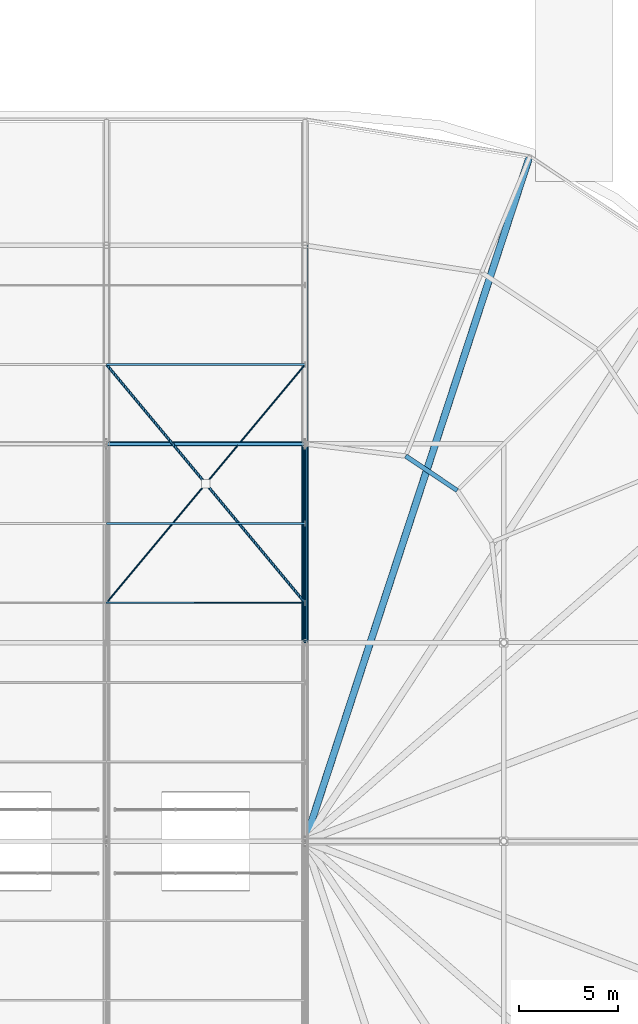
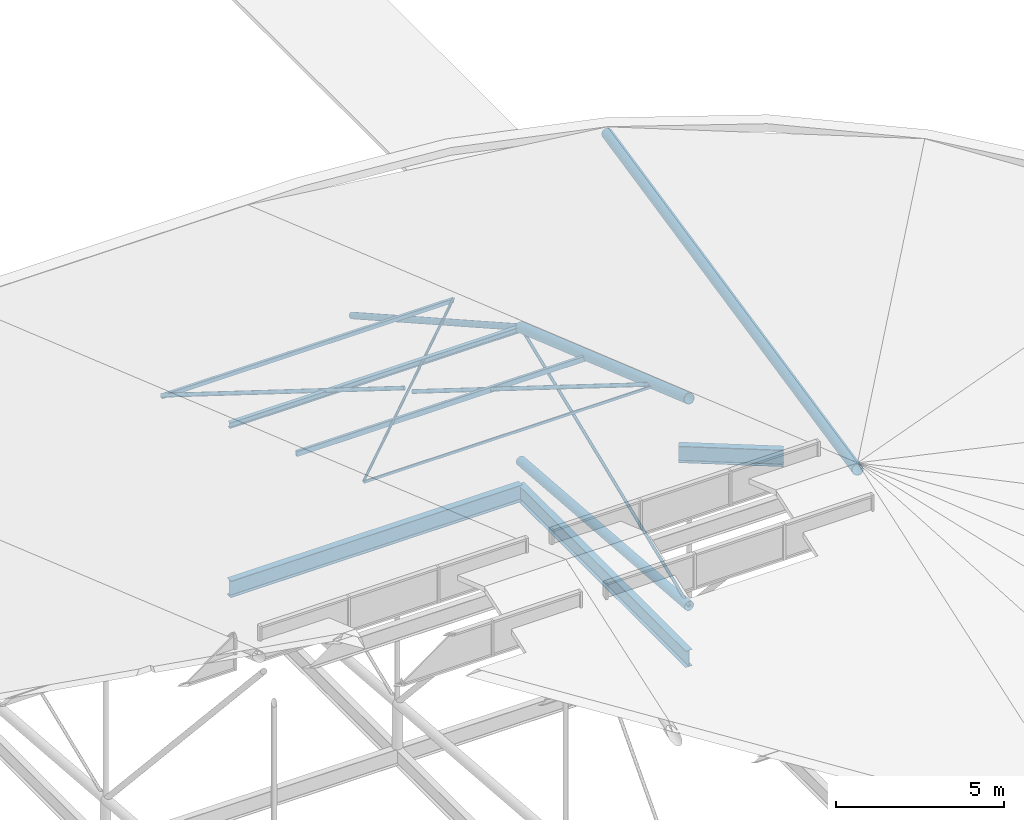
# One storey, part 71 of 93: 12 members, 3 beams.
"""IFC4 building model written with IfcOpenShell, lengths in metres."""

from ifc_helpers import new_model, si_unit, derived_unit, direction, frame, origin, origin_2d_with_axis, place, context, subcontext, project, spatial, hollow_rectangle, hollow_circle, i_section, extrude, material, material_profile, profile_set, type_object, element, save


model = new_model("IFC4")

# Units and contexts
model_context = context("Model", 3, precision=1e-05, world=origin(), true_north=direction((0.0, 1.0)))
body_context = subcontext(model_context, "Body", "Model", "MODEL_VIEW")
ifc_project = project(units=[si_unit("LENGTHUNIT", "METRE"), si_unit("AREAUNIT", "SQUARE_METRE"), si_unit("VOLUMEUNIT", "CUBIC_METRE"), si_unit("PLANEANGLEUNIT", "RADIAN"), si_unit("MASSUNIT", "GRAM", prefix="KILO"), derived_unit("THERMALTRANSMITTANCEUNIT", [(si_unit("POWERUNIT", "WATT"), 1), (si_unit("LENGTHUNIT", "METRE"), -2), (si_unit("THERMODYNAMICTEMPERATUREUNIT", "KELVIN"), -1)])], contexts=[model_context])

# Site, building, storey
site_placement = place(None, origin())
site = spatial("IfcSite", under=ifc_project, at=site_placement, CompositionType="ELEMENT")
building_placement = place(site_placement, origin())
building = spatial("IfcBuilding", under=site, at=building_placement, Name="Cinnabar Yard Market Hall", CompositionType="ELEMENT")
storey_placement = place(building_placement, frame((0.0, 0.0, 23.800048828125)))
storey = spatial("IfcBuildingStorey", under=building, at=storey_placement, Name="ROOF", CompositionType="ELEMENT", Elevation=23.800048828125)

# Beams
ifc_material_1 = material(Name="Steel Grade 300 (300 MPa)", Category="steel")
ifc_material_profile_1 = material_profile(ifc_material_1, i_section(OverallWidth=0.22802734375, OverallDepth=0.60205078125, WebThickness=0.010498046875, FlangeThickness=0.014892578125, FilletRadius=0.013916015625, at=origin_2d_with_axis()), Name="610UB101")
ifc_profile_set_1 = profile_set([ifc_material_profile_1], Name="Steel Grade 300 (300 MPa)")
beam_type = type_object("IfcBeamType", Name="BM-B02", PredefinedType="BEAM", material=ifc_profile_set_1)
for number, where, z_axis, x_axis, name in (
    (1, (136.0, 64.0, -9.700927734375), (1.0, 0.0, 0.0), (0.0, 1.0, 0.0), "Hall Longitudinal Tie Girder 00410"),
    (2, (146.0, 54.0, -9.700927734375), (0.0, 1.0, 0.0), (-1.0, 0.0, 0.0), "Hall Transverse Tie Girder 00443"),
):
    element("IfcBeam", number, at=place(storey_placement, frame(where, z_axis=z_axis, x_axis=x_axis)), inside=storey, type_object=beam_type, Name=name, PredefinedType="BEAM", context=body_context, shape_type="SweptSolid", body=[
        extrude(i_section(OverallWidth=0.22802734375, OverallDepth=0.60205078125, WebThickness=0.010498046875, FlangeThickness=0.014892578125, FilletRadius=0.013916015625, at=origin_2d_with_axis()), origin(), (0.0, 0.0, 1.0), 10.0),
    ])
beam_placement = place(storey_placement, frame((153.656982421875, 61.656982421875, -9.700927734375), z_axis=(-0.831484320434, 0.555548220115, 0.0), x_axis=(-0.555548220115, -0.831484320434, 0.0)))
element("IfcBeam", 3, at=beam_placement, inside=storey, type_object=beam_type, Name="Inner Corner Ring NE 00490", PredefinedType="BEAM", context=body_context, shape_type="SweptSolid", body=[
    extrude(i_section(OverallWidth=0.22802734375, OverallDepth=0.60205078125, WebThickness=0.010498046875, FlangeThickness=0.014892578125, FilletRadius=0.013916015625, at=origin_2d_with_axis()), origin(), (0.0, 0.0, 1.0), 3.12158203125),
])

# Members
ifc_material_2 = material(Name="Cold-formed steel C350L0", Category="steel")
ifc_material_profile_2 = material_profile(ifc_material_2, hollow_circle(Radius=0.161865234375, WallThickness=0.009521484375, at=origin_2d_with_axis()), Name="323.9x9.5CHS")
ifc_profile_set_2 = profile_set([ifc_material_profile_2], Name="Cold-formed steel C350L0")
member_type_1 = type_object("IfcMemberType", Name="MB-BC01", PredefinedType="CHORD", material=ifc_profile_set_2)
member_1_placement = place(storey_placement, frame((146.0, 54.0, -7.800048828125), z_axis=(0.0, 0.99681489162, -0.07975005859), x_axis=(-1.0, 0.0, 0.0)))
element("IfcMember", 4, at=member_1_placement, inside=storey, type_object=member_type_1, Name="Hall Truss 146 Bottom Chord 5", PredefinedType="CHORD", context=body_context, shape_type="SweptSolid", body=[
    extrude(hollow_circle(Radius=0.161865234375, WallThickness=0.009521484375, at=origin_2d_with_axis()), origin(), (0.0, 0.0, 1.0), 10.031982421875),
])
ifc_material_profile_3 = material_profile(ifc_material_2, hollow_circle(Radius=0.109619140625, WallThickness=0.00830078125, at=origin_2d_with_axis()), Name="219.1x8.2CHS")
ifc_profile_set_3 = profile_set([ifc_material_profile_3], Name="Cold-formed steel C350L0")
member_type_2 = type_object("IfcMemberType", Name="MB-DG01", PredefinedType="BRACE", material=ifc_profile_set_3)
member_2_placement = place(storey_placement, frame((146.0, 64.0, -3.76123046875), z_axis=(0.0, 0.871057093215, -0.491181779345), x_axis=(-1.0, 0.0, 0.0)))
element("IfcMember", 5, at=member_2_placement, inside=storey, type_object=member_type_2, Name="Hall Truss 146 Diagonal 6", PredefinedType="BRACE", context=body_context, shape_type="SweptSolid", body=[
    extrude(hollow_circle(Radius=0.109619140625, WallThickness=0.00830078125, at=origin_2d_with_axis()), origin(), (0.0, 0.0, 1.0), 11.480224609375),
])
ifc_material_profile_4 = material_profile(ifc_material_2, hollow_circle(Radius=0.05078125, WallThickness=0.0048828125, at=origin_2d_with_axis()), Name="101.6x5.0CHS")
ifc_profile_set_4 = profile_set([ifc_material_profile_4], Name="Cold-formed steel C350L0")
member_type_3 = type_object("IfcMemberType", Name="MB-DG05", PredefinedType="BRACE", material=ifc_profile_set_4)
member_3_placement = place(storey_placement, frame((146.0, 54.0, -7.800048828125), z_axis=(0.0, 0.927230348791, 0.374491495607), x_axis=(-1.0, 0.0, 0.0)))
element("IfcMember", 6, at=member_3_placement, inside=storey, type_object=member_type_3, Name="Hall Truss 146 Diagonal 5", PredefinedType="BRACE", context=body_context, shape_type="SweptSolid", body=[
    extrude(hollow_circle(Radius=0.05078125, WallThickness=0.0048828125, at=origin_2d_with_axis()), origin(), (0.0, 0.0, 1.0), 10.784912109375),
])
ifc_material_profile_5 = material_profile(ifc_material_2, hollow_rectangle(XDim=0.10009765625, YDim=0.199951171875, WallThickness=0.006103515625, InnerFilletRadius=0.006103515625, OuterFilletRadius=0.011962890625, at=origin_2d_with_axis()), Name="200x100x6.0RHS")
ifc_profile_set_5 = profile_set([ifc_material_profile_5], Name="Cold-formed steel C350L0")
member_type_4 = type_object("IfcMemberType", Name="MB-PU01", PredefinedType="PURLIN", material=ifc_profile_set_5)
member_4_placement = place(storey_placement, frame((136.0, 60.0, -2.4091796875), z_axis=(1.0, 0.0, 0.0), x_axis=(0.0, 1.0, 0.0)))
element("IfcMember", 7, at=member_4_placement, inside=storey, type_object=member_type_4, Name="Hall Roof Purlin Y60 X136", PredefinedType="PURLIN", context=body_context, shape_type="SweptSolid", body=[
    extrude(hollow_rectangle(XDim=0.10009765625, YDim=0.199951171875, WallThickness=0.006103515625, InnerFilletRadius=0.006103515625, OuterFilletRadius=0.011962890625, at=origin_2d_with_axis()), origin(), (0.0, 0.0, 1.0), 10.0),
])
ifc_material_profile_6 = material_profile(ifc_material_1, i_section(OverallWidth=0.134033203125, OverallDepth=0.20703125, WebThickness=0.00634765625, FlangeThickness=0.009521484375, FilletRadius=0.0087890625, at=origin_2d_with_axis()), Name="200UB29.8")
ifc_profile_set_6 = profile_set([ifc_material_profile_6], Name="Steel Grade 300 (300 MPa)")
member_type_5 = type_object("IfcMemberType", Name="MB-PU02", PredefinedType="PURLIN", material=ifc_profile_set_6)
member_5_placement = place(storey_placement, frame((136.0, 64.0, -3.80126953125), z_axis=(1.0, 0.0, 0.0), x_axis=(0.0, 1.0, 0.0)))
element("IfcMember", 8, at=member_5_placement, inside=storey, type_object=member_type_5, Name="Hall Roof Purlin Y64 X136", PredefinedType="PURLIN", context=body_context, shape_type="SweptSolid", body=[
    extrude(i_section(OverallWidth=0.134033203125, OverallDepth=0.20703125, WebThickness=0.00634765625, FlangeThickness=0.009521484375, FilletRadius=0.0087890625, at=origin_2d_with_axis()), origin(), (0.0, 0.0, 1.0), 10.0),
])
ifc_material_profile_7 = material_profile(ifc_material_2, hollow_rectangle(XDim=0.10009765625, YDim=0.14990234375, WallThickness=0.0048828125, InnerFilletRadius=0.0048828125, OuterFilletRadius=0.010009765625, at=origin_2d_with_axis()), Name="150x100x5.0RHS")
ifc_profile_set_7 = profile_set([ifc_material_profile_7], Name="Cold-formed steel C350L0")
member_type_6 = type_object("IfcMemberType", Name="MB-PU03", PredefinedType="PURLIN", material=ifc_profile_set_7)
member_6_placement = place(storey_placement, frame((136.0, 68.0, -5.193603515625), z_axis=(1.0, 0.0, 0.0), x_axis=(0.0, 1.0, 0.0)))
element("IfcMember", 9, at=member_6_placement, inside=storey, type_object=member_type_6, Name="Hall Roof Purlin Y68 X136", PredefinedType="PURLIN", context=body_context, shape_type="SweptSolid", body=[
    extrude(hollow_rectangle(XDim=0.10009765625, YDim=0.14990234375, WallThickness=0.0048828125, InnerFilletRadius=0.0048828125, OuterFilletRadius=0.010009765625, at=origin_2d_with_axis()), origin(), (0.0, 0.0, 1.0), 10.0),
])
ifc_material_profile_8 = material_profile(ifc_material_2, hollow_rectangle(XDim=0.050048828125, YDim=0.10009765625, WallThickness=0.00390625, InnerFilletRadius=0.00390625, OuterFilletRadius=0.008056640625, at=origin_2d_with_axis()), Name="100x50x4.0RHS")
ifc_profile_set_8 = profile_set([ifc_material_profile_8], Name="Cold-formed steel C350L0")
member_type_7 = type_object("IfcMemberType", Name="MB-PU10", PredefinedType="PURLIN", material=ifc_profile_set_8)
member_7_placement = place(storey_placement, frame((136.0, 56.0, -1.016845703125), z_axis=(1.0, 0.0, 0.0), x_axis=(0.0, 1.0, 0.0)))
element("IfcMember", 10, at=member_7_placement, inside=storey, type_object=member_type_7, Name="Hall Roof Purlin Y56 X136", PredefinedType="PURLIN", context=body_context, shape_type="SweptSolid", body=[
    extrude(hollow_rectangle(XDim=0.050048828125, YDim=0.10009765625, WallThickness=0.00390625, InnerFilletRadius=0.00390625, OuterFilletRadius=0.008056640625, at=origin_2d_with_axis()), origin(), (0.0, 0.0, 1.0), 10.0),
])
ifc_material_profile_9 = material_profile(ifc_material_2, hollow_circle(Radius=0.06982421875, WallThickness=0.0048828125, at=origin_2d_with_axis()), Name="139.7x5.0CHS")
ifc_profile_set_9 = profile_set([ifc_material_profile_9], Name="Cold-formed steel C350L0")
member_type_8 = type_object("IfcMemberType", Name="MB-RB01", PredefinedType="BRACE", material=ifc_profile_set_9)
for number, where, z_axis, x_axis, name in (
    (11, (146.0, 56.0, -0.976806640625), (-0.617072875014, 0.740505822572, -0.26621831954), (-0.768229091176, -0.640175025654, 0.0), "Roof Plan Split X-Brace 136-56B1"),
    (12, (140.919921875, 62.095947265625, -3.03125), (-0.617077905073, 0.740511858792, -0.26618986844), (-0.768229091176, -0.640175025654, 0.0), "Roof Plan Split X-Brace 136-56B2"),
):
    element("IfcMember", number, at=place(storey_placement, frame(where, z_axis=z_axis, x_axis=x_axis)), inside=storey, type_object=member_type_8, Name=name, PredefinedType="BRACE", context=body_context, shape_type="SweptSolid", body=[
        extrude(hollow_circle(Radius=0.06982421875, WallThickness=0.0048828125, at=origin_2d_with_axis()), origin(), (0.0, 0.0, 1.0), 7.972900390625),
    ])
ifc_material_profile_10 = material_profile(ifc_material_2, hollow_circle(Radius=0.04443359375, WallThickness=0.005615234375, at=origin_2d_with_axis()), Name="88.9x5.5CHS")
ifc_profile_set_10 = profile_set([ifc_material_profile_10], Name="Cold-formed steel C350L0")
member_type_9 = type_object("IfcMemberType", Name="MB-RB02", PredefinedType="BRACE", material=ifc_profile_set_10)
member_8_placement = place(storey_placement, frame((136.0, 56.0, -0.976806640625), z_axis=(0.618457094351, 0.742148513222, -0.258314550053), x_axis=(-0.768221279597, 0.640184399664, 0.0)))
element("IfcMember", 13, at=member_8_placement, inside=storey, type_object=member_type_9, Name="Roof Plan Continuous X-Brace 136-56A", PredefinedType="BRACE", context=body_context, shape_type="SweptSolid", body=[
    extrude(hollow_circle(Radius=0.04443359375, WallThickness=0.005615234375, at=origin_2d_with_axis()), origin(), (0.0, 0.0, 1.0), 16.169189453125),
])
ifc_material_profile_11 = material_profile(ifc_material_2, hollow_circle(Radius=0.177734375, WallThickness=0.0126953125, at=origin_2d_with_axis()), Name="355.6x12.7CHS")
ifc_profile_set_11 = profile_set([ifc_material_profile_11], Name="Cold-formed steel C350L0")
member_type_10 = type_object("IfcMemberType", Name="MB-TC01", PredefinedType="CHORD", material=ifc_profile_set_11)
member_9_placement = place(storey_placement, frame((146.0, 54.0, -0.28076171875), z_axis=(0.0, 0.944432077625, -0.328706633267), x_axis=(-1.0, 0.0, 0.0)))
element("IfcMember", 14, at=member_9_placement, inside=storey, type_object=member_type_10, Name="Hall Truss 146 Top Chord 5", PredefinedType="CHORD", context=body_context, shape_type="SweptSolid", body=[
    extrude(hollow_circle(Radius=0.177734375, WallThickness=0.0126953125, at=origin_2d_with_axis()), origin(), (0.0, 0.0, 1.0), 10.58837890625),
])
member_10_placement = place(storey_placement, frame((146.0, 44.0, 3.199951171875), z_axis=(0.294105928057, 0.897333924239, -0.32907982541), x_axis=(-0.950261487269, 0.31145321609, 0.0)))
element("IfcMember", 15, at=member_10_placement, inside=storey, type_object=member_type_10, Name="East Apsidal Hip Rafter 09", PredefinedType="CHORD", context=body_context, shape_type="SweptSolid", body=[
    extrude(hollow_circle(Radius=0.177734375, WallThickness=0.0126953125, at=origin_2d_with_axis()), origin(), (0.0, 0.0, 1.0), 38.288818359375),
])

save(model, "model.ifc")
